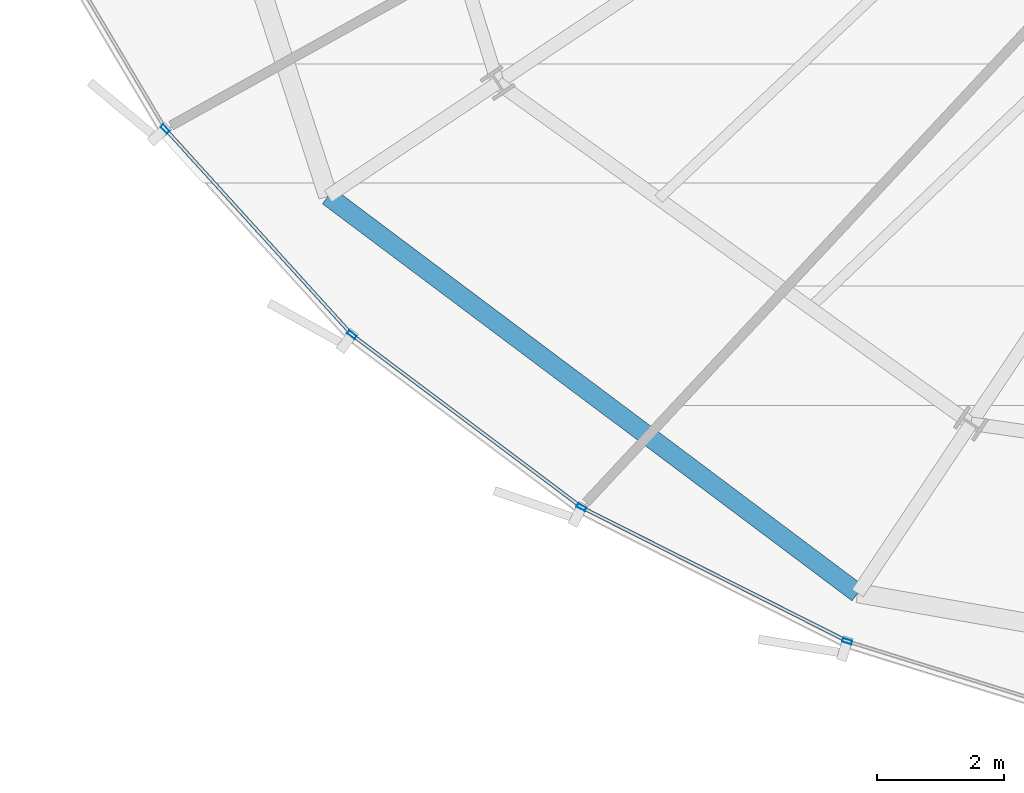
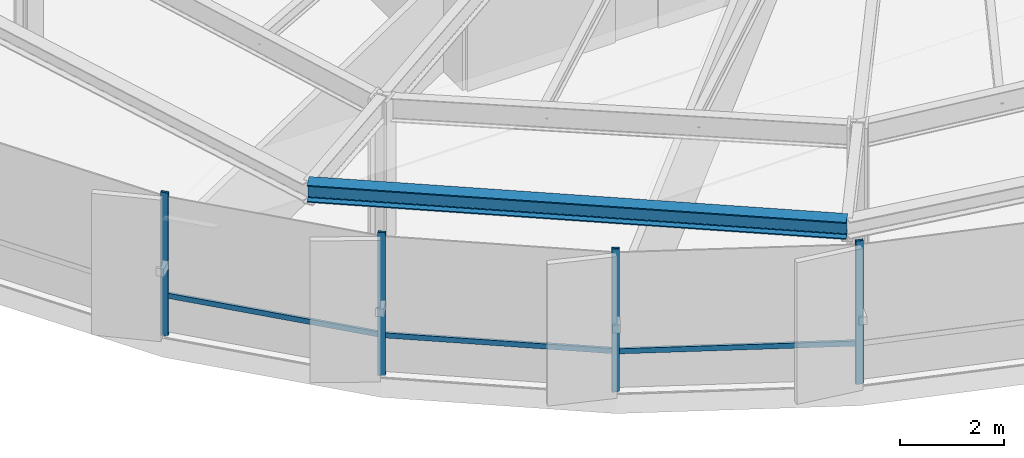
# One storey, part 2 of 35: 7 members, 1 beam, 1 element without a shape of its own.
"""IFC4 building model written with IfcOpenShell, lengths in metres."""

from ifc_helpers import new_model, si_unit, direction, frame, origin, origin_2d, place, context, subcontext, project, spatial, hollow_rectangle, i_section, extrude, source, transform, mapped, material, layer, layer_set, material_profile, profile_set, type_object, element, aggregate, save


model = new_model("IFC4")

# Units and contexts
model_context = context("Model", 3, precision=1e-05, world=origin(), true_north=direction((0.0, 1.0)))
body_context = subcontext(model_context, "Body", "Model", "MODEL_VIEW")
ifc_project = project(units=[si_unit("LENGTHUNIT", "METRE"), si_unit("AREAUNIT", "SQUARE_METRE"), si_unit("VOLUMEUNIT", "CUBIC_METRE"), si_unit("PLANEANGLEUNIT", "RADIAN"), si_unit("MASSUNIT", "GRAM", prefix="KILO"), si_unit("THERMODYNAMICTEMPERATUREUNIT", "KELVIN")], contexts=[model_context])

# Site, building, storey
site_placement = place(None, origin())
site = spatial("IfcSite", under=ifc_project, at=site_placement, CompositionType="ELEMENT")
building_placement = place(site_placement, origin())
building = spatial("IfcBuilding", under=site, at=building_placement, Name="Kethvar Cultural Tower", CompositionType="ELEMENT")
storey_placement = place(building_placement, frame((0.0, 0.0, 85.60009765625)))
storey = spatial("IfcBuildingStorey", under=building, at=storey_placement, Name="L20", CompositionType="ELEMENT", Elevation=85.60009765625)

# Beam
ifc_material_1 = material(Name="Steel S355J2", Category="steel")
ifc_material_profile_1 = material_profile(ifc_material_1, i_section(OverallWidth=0.300048828125, OverallDepth=0.39990234375, WebThickness=0.013427734375, FlangeThickness=0.02392578125, FilletRadius=0.027099609375, at=origin_2d()), Name="Steel S355J2 — HEB400")
ifc_profile_set_1 = profile_set([ifc_material_profile_1], Name="Steel S355J2 — HEB400")
beam_type = type_object("IfcBeamType", Name="BM-SP400", PredefinedType="SPANDREL", material=ifc_profile_set_1)
shared_shape_1 = source(origin(), body_context, "Body", "SweptSolid", [
    extrude(i_section(OverallWidth=0.300048828125, OverallDepth=0.39990234375, WebThickness=0.013427734375, FlangeThickness=0.02392578125, FilletRadius=0.027099609375, at=origin_2d()), origin(), (0.0, 0.0, 1.0), 10.38916015625),
])
beam_placement = place(storey_placement, frame((24.260009765625, 12.7392578125, 3.14794921875), z_axis=(0.800152249906, -0.599796946449, 0.0), x_axis=(0.599796946449, 0.800152249906, 0.0)))
element("IfcBeam", 1, at=beam_placement, inside=storey, type_object=beam_type, Name="L20 Perimeter Spandrel Beam SP-10", PredefinedType="SPANDREL", context=body_context, shape_type="MappedRepresentation", body=[
    mapped(shared_shape_1, transform((0.0, 0.0, 0.0), scale=1.0)),
])

# Curtain wall, members
ifc_material_2 = material(Name="Aluminium 6063-T6", Category="aluminium")
ifc_layer = layer(ifc_material_2, 0.179931640625, Name="Aluminium 6063-T6", Category="aluminium")
ifc_layer_set = layer_set([ifc_layer], Name="Aluminium 6063-T6 (180 mm)")
curtain_wall_type = type_object("IfcCurtainWallType", Name="CW-SYS-03-Z2", PredefinedType="NOTDEFINED", material=ifc_layer_set)
curtain_wall_placement = place(storey_placement, origin())
curtain_wall = element("IfcCurtainWall", 2, at=curtain_wall_placement, inside=storey, type_object=curtain_wall_type, Name="L20 Curtain Wall Run 04", PredefinedType="NOTDEFINED")
ifc_material_profile_2 = material_profile(ifc_material_2, hollow_rectangle(XDim=0.06005859375, YDim=0.14990234375, WallThickness=0.0048828125, at=origin_2d()), Name="Aluminium 6063-T6 — RHS150x60x5")
ifc_profile_set_2 = profile_set([ifc_material_profile_2], Name="Aluminium 6063-T6 — RHS150x60x5")
member_type_1 = type_object("IfcMemberType", Name="CW-SYS-03-Z2-MUL", PredefinedType="MULLION", material=ifc_profile_set_2)
shared_shape_2 = source(origin(), body_context, "Body", "SweptSolid", [
    extrude(hollow_rectangle(XDim=0.06005859375, YDim=0.14990234375, WallThickness=0.0048828125, at=origin_2d()), origin(), (0.0, 0.0, 1.0), 3.349853515625),
])
member_1_placement = place(storey_placement, frame((21.70263671875, 13.79541015625, 0.0), z_axis=(0.0, 0.0, 1.0), x_axis=(0.740429321217, 0.672134227875, 0.0)))
member_1 = element("IfcMember", 3, at=member_1_placement, type_object=member_type_1, Name="CW-L20-R04 Mullion 3", PredefinedType="MULLION", context=body_context, shape_type="MappedRepresentation", body=[
    mapped(shared_shape_2, transform((0.0, 0.0, 0.0), scale=1.0)),
])
member_2_placement = place(storey_placement, frame((24.633056640625, 10.564208984375, 0.0), z_axis=(0.0, 0.0, 1.0), x_axis=(0.6003923107, 0.79970561662, 0.0)))
member_2 = element("IfcMember", 4, at=member_2_placement, type_object=member_type_1, Name="CW-L20-R04 Mullion 4", PredefinedType="MULLION", context=body_context, shape_type="MappedRepresentation", body=[
    mapped(shared_shape_2, transform((0.0, 0.0, 0.0), scale=1.0)),
])
member_3_placement = place(storey_placement, frame((28.23779296875, 7.855712890625, 0.0), z_axis=(0.0, 0.0, 1.0), x_axis=(0.450004926033, 0.893026072713, 0.0)))
member_3 = element("IfcMember", 5, at=member_3_placement, type_object=member_type_1, Name="CW-L20-R04 Mullion 5", PredefinedType="MULLION", context=body_context, shape_type="MappedRepresentation", body=[
    mapped(shared_shape_2, transform((0.0, 0.0, 0.0), scale=1.0)),
])
member_4_placement = place(storey_placement, frame((32.407958984375, 5.75244140625, 0.0), z_axis=(0.0, 0.0, 1.0), x_axis=(0.296658250459, 0.954983707942, 0.0)))
member_4 = element("IfcMember", 6, at=member_4_placement, type_object=member_type_1, Name="CW-L20-R04 Mullion 6", PredefinedType="MULLION", context=body_context, shape_type="MappedRepresentation", body=[
    mapped(shared_shape_2, transform((0.0, 0.0, 0.0), scale=1.0)),
])
ifc_material_profile_3 = material_profile(ifc_material_2, hollow_rectangle(XDim=0.054931640625, YDim=0.1201171875, WallThickness=0.00390625, at=origin_2d()), Name="Aluminium 6063-T6 — RHS120x55x4")
ifc_profile_set_3 = profile_set([ifc_material_profile_3], Name="Aluminium 6063-T6 — RHS120x55x4")
member_type_2 = type_object("IfcMemberType", Name="CW-SYS-03-Z2-TRN", PredefinedType="USERDEFINED", material=ifc_profile_set_3)
shared_shape_3 = source(origin(), body_context, "Body", "SweptSolid", [
    extrude(hollow_rectangle(XDim=0.054931640625, YDim=0.1201171875, WallThickness=0.00390625, at=origin_2d()), origin(), (0.0, 0.0, 1.0), 4.60302734375),
])
member_5_placement = place(storey_placement, frame((28.2763671875, 7.836181640625, 0.949951171875), z_axis=(0.893033226833, -0.449990728541, 0.0), x_axis=(0.449990728541, 0.893033226833, 0.0)))
member_5 = element("IfcMember", 7, at=member_5_placement, type_object=member_type_2, Name="CW-L20-R04 Transom 5", ObjectType="TRANSOM", PredefinedType="USERDEFINED", context=body_context, shape_type="MappedRepresentation", body=[
    mapped(shared_shape_3, transform((0.0, 0.0, 0.0), scale=1.0)),
])
shared_shape_4 = source(origin(), body_context, "Body", "SweptSolid", [
    extrude(hollow_rectangle(XDim=0.054931640625, YDim=0.1201171875, WallThickness=0.00390625, at=origin_2d()), origin(), (0.0, 0.0, 1.0), 4.29736328125),
])
member_6_placement = place(storey_placement, frame((21.731689453125, 13.763427734375, 0.949951171875), z_axis=(0.67213817808, -0.740425735349, 0.0), x_axis=(0.740425735349, 0.67213817808, 0.0)))
member_6 = element("IfcMember", 8, at=member_6_placement, type_object=member_type_2, Name="CW-L20-R04 Transom 3", ObjectType="TRANSOM", PredefinedType="USERDEFINED", context=body_context, shape_type="MappedRepresentation", body=[
    mapped(shared_shape_4, transform((0.0, 0.0, 0.0), scale=1.0)),
])
shared_shape_5 = source(origin(), body_context, "Body", "SweptSolid", [
    extrude(hollow_rectangle(XDim=0.054931640625, YDim=0.1201171875, WallThickness=0.00390625, at=origin_2d()), origin(), (0.0, 0.0, 1.0), 4.443115234375),
])
member_7_placement = place(storey_placement, frame((24.66748046875, 10.538330078125, 0.949951171875), z_axis=(0.799722973474, -0.600369191163, 0.0), x_axis=(0.600369191163, 0.799722973474, 0.0)))
member_7 = element("IfcMember", 9, at=member_7_placement, type_object=member_type_2, Name="CW-L20-R04 Transom 4", ObjectType="TRANSOM", PredefinedType="USERDEFINED", context=body_context, shape_type="MappedRepresentation", body=[
    mapped(shared_shape_5, transform((0.0, 0.0, 0.0), scale=1.0)),
])
aggregate(curtain_wall, [member_1, member_2, member_3, member_4, member_6, member_7, member_5])

save(model, "model.ifc")
